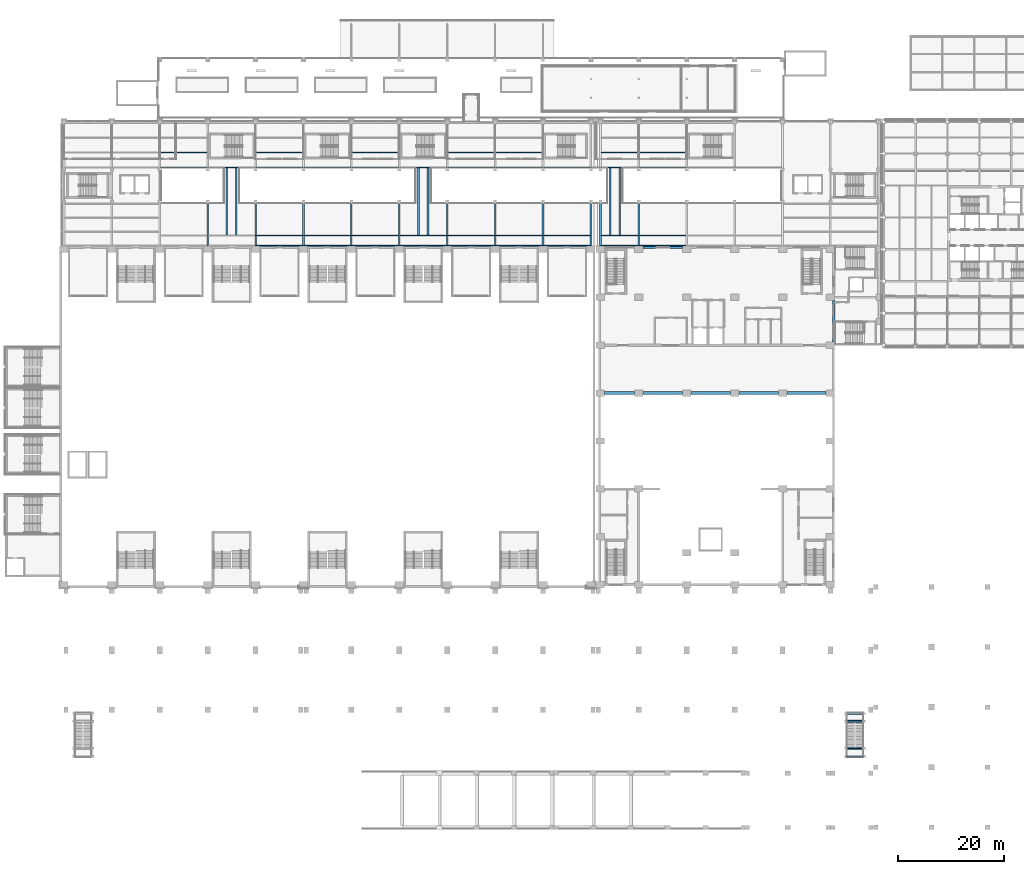
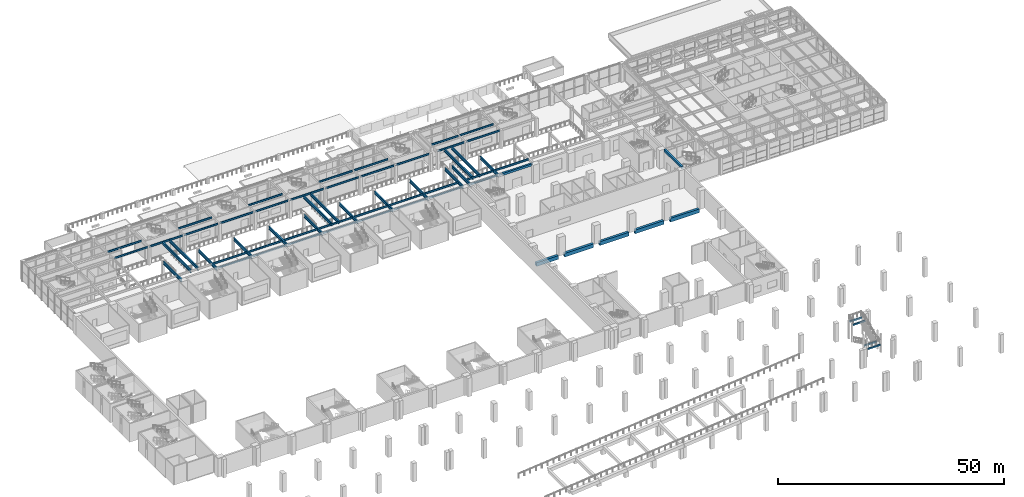
# One storey, part 9 of 67: 64 beams.
"""IFC4 building model written with IfcOpenShell, lengths in metres."""

from ifc_helpers import new_model, si_unit, direction, frame, origin, origin_2d, place, context, subcontext, project, spatial, rectangle, i_section, extrude, material, material_profile, profile_set, type_object, element, save


model = new_model("IFC4")

# Units and contexts
model_context = context("Model", 3, precision=1e-05, world=origin(), true_north=direction((0.0, 1.0)))
body_context = subcontext(model_context, "Body", "Model", "MODEL_VIEW")
ifc_project = project(units=[si_unit("LENGTHUNIT", "METRE"), si_unit("AREAUNIT", "SQUARE_METRE"), si_unit("VOLUMEUNIT", "CUBIC_METRE"), si_unit("PLANEANGLEUNIT", "RADIAN"), si_unit("MASSUNIT", "GRAM", prefix="KILO")], contexts=[model_context])

# Site, building, storey
site_placement = place(None, origin())
site = spatial("IfcSite", under=ifc_project, at=site_placement, CompositionType="ELEMENT")
building_placement = place(site_placement, origin())
building = spatial("IfcBuilding", under=site, at=building_placement, Name="Aravalli Gate Trade Fair Centre", CompositionType="ELEMENT")
storey_placement = place(building_placement, frame((0.0, 0.0, 5.0)))
storey = spatial("IfcBuildingStorey", under=building, at=storey_placement, Name="L01", CompositionType="ELEMENT", Elevation=5.0)

# Beams
ifc_material_1 = material(Name="Concrete M45", Category="concrete")
ifc_material_profile_1 = material_profile(ifc_material_1, rectangle(XDim=0.60009765625, YDim=1.0, at=origin_2d()), Name="RC 600x1000")
ifc_profile_set_1 = profile_set([ifc_material_profile_1], Name="Concrete M45")
beam_type_1 = type_object("IfcBeamType", Name="Congress RC beam 600 x 1000", PredefinedType="BEAM", material=ifc_profile_set_1)
beam_1_placement = place(storey_placement, frame((107.60009765625, 82.0, -0.5), z_axis=(1.0, 0.0, 0.0), x_axis=(0.0, 1.0, 0.0)))
element("IfcBeam", 1, at=beam_1_placement, inside=storey, type_object=beam_type_1, Name="Balcony front beam L01 107 to 114", PredefinedType="BEAM", context=body_context, shape_type="SweptSolid", body=[
    extrude(rectangle(XDim=0.60009765625, YDim=1.0, at=origin_2d()), origin(), (0.0, 0.0, 1.0), 5.599853515625),
])
for number, where, z_axis, x_axis, name in (
    (2, (114.800048828125, 82.0, -0.5), (1.0, 0.0, 0.0), (0.0, 1.0, 0.0), "Balcony front beam L01 114 to 123"),
    (3, (123.800048828125, 82.0, -0.5), (1.0, 0.0, 0.0), (0.0, 1.0, 0.0), "Balcony front beam L01 123 to 132"),
    (4, (132.800048828125, 82.0, -0.5), (1.0, 0.0, 0.0), (0.0, 1.0, 0.0), "Balcony front beam L01 132 to 141"),
    (5, (141.800048828125, 82.0, -0.5), (1.0, 0.0, 0.0), (0.0, 1.0, 0.0), "Balcony front beam L01 141 to 150"),
):
    element("IfcBeam", number, at=place(storey_placement, frame(where, z_axis=z_axis, x_axis=x_axis)), inside=storey, type_object=beam_type_1, Name=name, PredefinedType="BEAM", context=body_context, shape_type="SweptSolid", body=[
        extrude(rectangle(XDim=0.60009765625, YDim=1.0, at=origin_2d()), origin(), (0.0, 0.0, 1.0), 7.39990234375),
    ])
ifc_material_profile_2 = material_profile(ifc_material_1, rectangle(XDim=0.449951171875, YDim=0.60009765625, at=origin_2d()), Name="RC 450x600")
ifc_profile_set_2 = profile_set([ifc_material_profile_2], Name="Concrete M45")
beam_type_2 = type_object("IfcBeamType", Name="Congress RC lintel beam 450 x 600", PredefinedType="BEAM", material=ifc_profile_set_2)
beam_2_placement = place(storey_placement, frame((150.60009765625, 91.60009765625, 4.699951171875), z_axis=(0.0, 1.0, 0.0), x_axis=(-1.0, 0.0, 0.0)))
element("IfcBeam", 6, at=beam_2_placement, inside=storey, type_object=beam_type_2, Name="Lintel E L01 bay 6", PredefinedType="BEAM", context=body_context, shape_type="SweptSolid", body=[
    extrude(rectangle(XDim=0.449951171875, YDim=0.60009765625, at=origin_2d()), origin(), (0.0, 0.0, 1.0), 7.7998046875),
])
beam_3_placement = place(storey_placement, frame((114.800048828125, 109.375, 4.699951171875), z_axis=(1.0, 0.0, 0.0), x_axis=(0.0, 1.0, 0.0)))
element("IfcBeam", 7, at=beam_3_placement, inside=storey, type_object=beam_type_2, Name="Lintel N L01 bay 2", PredefinedType="BEAM", context=body_context, shape_type="SweptSolid", body=[
    extrude(rectangle(XDim=0.449951171875, YDim=0.60009765625, at=origin_2d()), origin(), (0.0, 0.0, 1.0), 7.39990234375),
])
ifc_material_2 = material(Name="Steel E350", Category="steel")
ifc_material_profile_3 = material_profile(ifc_material_2, i_section(OverallWidth=0.179931640625, OverallDepth=0.5, WebThickness=0.01025390625, FlangeThickness=0.01708984375, at=origin_2d()), Name="ISMB 500")
ifc_profile_set_3 = profile_set([ifc_material_profile_3], Name="Steel E350")
beam_type_3 = type_object("IfcBeamType", Name="ISMB 500 gallery secondary beam", PredefinedType="JOIST", material=ifc_profile_set_3)
for number, where, z_axis, x_axis, name in (
    (8, (24.14990234375, 124.389892578125, 4.550048828125), (1.0, 0.0, 0.0), (0.0, 1.0, 0.0), "Gallery beam N2 03-04 L02"),
    (9, (24.14990234375, 127.203369140625, 4.550048828125), (1.0, 0.0, 0.0), (0.0, 1.0, 0.0), "Gallery beam N3 03-04 L02"),
    (10, (33.14990234375, 124.389892578125, 4.550048828125), (1.0, 0.0, 0.0), (0.0, 1.0, 0.0), "Gallery beam N2 04-05 L02"),
    (11, (42.14990234375, 109.68994140625, 4.550048828125), (1.0, 0.0, 0.0), (0.0, 1.0, 0.0), "Gallery beam S0 05-06 L02"),
    (12, (42.14990234375, 111.610107421875, 4.550048828125), (1.0, 0.0, 0.0), (0.0, 1.0, 0.0), "Gallery beam S1 05-06 L02"),
    (13, (42.14990234375, 124.389892578125, 4.550048828125), (1.0, 0.0, 0.0), (0.0, 1.0, 0.0), "Gallery beam N2 05-06 L02"),
    (14, (42.14990234375, 127.203369140625, 4.550048828125), (1.0, 0.0, 0.0), (0.0, 1.0, 0.0), "Gallery beam N3 05-06 L02"),
    (15, (51.14990234375, 109.68994140625, 4.550048828125), (1.0, 0.0, 0.0), (0.0, 1.0, 0.0), "Gallery beam S0 06-07 L02"),
    (16, (51.14990234375, 111.610107421875, 4.550048828125), (1.0, 0.0, 0.0), (0.0, 1.0, 0.0), "Gallery beam S1 06-07 L02"),
    (17, (51.14990234375, 124.389892578125, 4.550048828125), (1.0, 0.0, 0.0), (0.0, 1.0, 0.0), "Gallery beam N2 06-07 L02"),
    (18, (60.14990234375, 109.68994140625, 4.550048828125), (1.0, 0.0, 0.0), (0.0, 1.0, 0.0), "Gallery beam S0 07-08 L02"),
    (19, (60.14990234375, 111.610107421875, 4.550048828125), (1.0, 0.0, 0.0), (0.0, 1.0, 0.0), "Gallery beam S1 07-08 L02"),
    (20, (60.14990234375, 124.389892578125, 4.550048828125), (1.0, 0.0, 0.0), (0.0, 1.0, 0.0), "Gallery beam N2 07-08 L02"),
    (21, (60.14990234375, 127.203369140625, 4.550048828125), (1.0, 0.0, 0.0), (0.0, 1.0, 0.0), "Gallery beam N3 07-08 L02"),
    (22, (69.14990234375, 109.68994140625, 4.550048828125), (1.0, 0.0, 0.0), (0.0, 1.0, 0.0), "Gallery beam S0 08-09 L02"),
    (23, (69.14990234375, 111.610107421875, 4.550048828125), (1.0, 0.0, 0.0), (0.0, 1.0, 0.0), "Gallery beam S1 08-09 L02"),
    (24, (69.14990234375, 124.389892578125, 4.550048828125), (1.0, 0.0, 0.0), (0.0, 1.0, 0.0), "Gallery beam N2 08-09 L02"),
    (25, (78.14990234375, 109.68994140625, 4.550048828125), (1.0, 0.0, 0.0), (0.0, 1.0, 0.0), "Gallery beam S0 09-10 L02"),
    (26, (78.14990234375, 111.610107421875, 4.550048828125), (1.0, 0.0, 0.0), (0.0, 1.0, 0.0), "Gallery beam S1 09-10 L02"),
    (27, (78.14990234375, 124.389892578125, 4.550048828125), (1.0, 0.0, 0.0), (0.0, 1.0, 0.0), "Gallery beam N2 09-10 L02"),
    (28, (78.14990234375, 127.203369140625, 4.550048828125), (1.0, 0.0, 0.0), (0.0, 1.0, 0.0), "Gallery beam N3 09-10 L02"),
    (29, (87.14990234375, 109.68994140625, 4.550048828125), (1.0, 0.0, 0.0), (0.0, 1.0, 0.0), "Gallery beam S0 10-11 L02"),
    (30, (87.14990234375, 111.610107421875, 4.550048828125), (1.0, 0.0, 0.0), (0.0, 1.0, 0.0), "Gallery beam S1 10-11 L02"),
    (31, (87.14990234375, 124.389892578125, 4.550048828125), (1.0, 0.0, 0.0), (0.0, 1.0, 0.0), "Gallery beam N2 10-11 L02"),
    (32, (87.14990234375, 127.203369140625, 4.550048828125), (1.0, 0.0, 0.0), (0.0, 1.0, 0.0), "Gallery beam N3 10-11 L02"),
    (33, (96.14990234375, 109.68994140625, 4.550048828125), (1.0, 0.0, 0.0), (0.0, 1.0, 0.0), "Gallery beam S0 11-12 L02"),
    (34, (96.14990234375, 111.610107421875, 4.550048828125), (1.0, 0.0, 0.0), (0.0, 1.0, 0.0), "Gallery beam S1 11-12 L02"),
    (35, (96.14990234375, 124.389892578125, 4.550048828125), (1.0, 0.0, 0.0), (0.0, 1.0, 0.0), "Gallery beam N2 11-12 L02"),
):
    element("IfcBeam", number, at=place(storey_placement, frame(where, z_axis=z_axis, x_axis=x_axis)), inside=storey, type_object=beam_type_3, Name=name, PredefinedType="JOIST", context=body_context, shape_type="SweptSolid", body=[
        extrude(i_section(OverallWidth=0.179931640625, OverallDepth=0.5, WebThickness=0.01025390625, FlangeThickness=0.01708984375, at=origin_2d()), origin(), (0.0, 0.0, 1.0), 8.7001953125),
    ])
for number, where, z_axis, x_axis, name in (
    (36, (106.949951171875, 109.68994140625, 4.550048828125), (1.0, 0.0, 0.0), (0.0, 1.0, 0.0), "Gallery beam S0 12A-13 L02"),
    (37, (106.949951171875, 111.610107421875, 4.550048828125), (1.0, 0.0, 0.0), (0.0, 1.0, 0.0), "Gallery beam S1 12A-13 L02"),
    (38, (106.949951171875, 124.389892578125, 4.550048828125), (1.0, 0.0, 0.0), (0.0, 1.0, 0.0), "Gallery beam N2 12A-13 L02"),
    (39, (106.949951171875, 127.203369140625, 4.550048828125), (1.0, 0.0, 0.0), (0.0, 1.0, 0.0), "Gallery beam N3 12A-13 L02"),
):
    element("IfcBeam", number, at=place(storey_placement, frame(where, z_axis=z_axis, x_axis=x_axis)), inside=storey, type_object=beam_type_3, Name=name, PredefinedType="JOIST", context=body_context, shape_type="SweptSolid", body=[
        extrude(i_section(OverallWidth=0.179931640625, OverallDepth=0.5, WebThickness=0.01025390625, FlangeThickness=0.01708984375, at=origin_2d()), origin(), (0.0, 0.0, 1.0), 6.900146484375),
    ])
for number, where, z_axis, x_axis, name in (
    (40, (114.14990234375, 109.68994140625, 4.550048828125), (1.0, 0.0, 0.0), (0.0, 1.0, 0.0), "Gallery beam S0 13-14 L02"),
    (41, (114.14990234375, 111.610107421875, 4.550048828125), (1.0, 0.0, 0.0), (0.0, 1.0, 0.0), "Gallery beam S1 13-14 L02"),
    (42, (114.14990234375, 124.389892578125, 4.550048828125), (1.0, 0.0, 0.0), (0.0, 1.0, 0.0), "Gallery beam N2 13-14 L02"),
    (43, (114.14990234375, 127.203369140625, 4.550048828125), (1.0, 0.0, 0.0), (0.0, 1.0, 0.0), "Gallery beam N3 13-14 L02"),
):
    element("IfcBeam", number, at=place(storey_placement, frame(where, z_axis=z_axis, x_axis=x_axis)), inside=storey, type_object=beam_type_3, Name=name, PredefinedType="JOIST", context=body_context, shape_type="SweptSolid", body=[
        extrude(i_section(OverallWidth=0.179931640625, OverallDepth=0.5, WebThickness=0.01025390625, FlangeThickness=0.01708984375, at=origin_2d()), origin(), (0.0, 0.0, 1.0), 8.7001953125),
    ])
ifc_material_profile_4 = material_profile(ifc_material_2, i_section(OverallWidth=0.300048828125, OverallDepth=0.800048828125, WebThickness=0.011962890625, FlangeThickness=0.02490234375, at=origin_2d()), Name="PG 800x300x12x25")
ifc_profile_set_4 = profile_set([ifc_material_profile_4], Name="Steel E350")
beam_type_4 = type_object("IfcBeamType", Name="PG 800x300x12x25 gallery plate girder", PredefinedType="BEAM", material=ifc_profile_set_4)
for number, where, z_axis, x_axis, name in (
    (44, (33.0, 109.60009765625, 4.39990234375), (0.0, 1.0, 0.0), (-1.0, 0.0, 0.0), "Gallery girder S04 L02"),
    (45, (42.0, 109.60009765625, 4.39990234375), (0.0, 1.0, 0.0), (-1.0, 0.0, 0.0), "Gallery girder S05 L02"),
    (46, (51.0, 109.60009765625, 4.39990234375), (0.0, 1.0, 0.0), (-1.0, 0.0, 0.0), "Gallery girder S06 L02"),
    (47, (60.0, 109.60009765625, 4.39990234375), (0.0, 1.0, 0.0), (-1.0, 0.0, 0.0), "Gallery girder S07 L02"),
    (48, (69.0, 109.60009765625, 4.39990234375), (0.0, 1.0, 0.0), (-1.0, 0.0, 0.0), "Gallery girder S08 L02"),
    (49, (78.0, 109.60009765625, 4.39990234375), (0.0, 1.0, 0.0), (-1.0, 0.0, 0.0), "Gallery girder S09 L02"),
    (50, (87.0, 109.60009765625, 4.39990234375), (0.0, 1.0, 0.0), (-1.0, 0.0, 0.0), "Gallery girder S10 L02"),
    (51, (96.0, 109.60009765625, 4.39990234375), (0.0, 1.0, 0.0), (-1.0, 0.0, 0.0), "Gallery girder S11 L02"),
    (52, (105.0, 109.60009765625, 4.39990234375), (0.0, 1.0, 0.0), (-1.0, 0.0, 0.0), "Gallery girder S12 L02"),
    (53, (106.800048828125, 109.60009765625, 4.39990234375), (0.0, 1.0, 0.0), (-1.0, 0.0, 0.0), "Gallery girder S12A L02"),
    (54, (114.0, 109.60009765625, 4.39990234375), (0.0, 1.0, 0.0), (-1.0, 0.0, 0.0), "Gallery girder S13 L02"),
):
    element("IfcBeam", number, at=place(storey_placement, frame(where, z_axis=z_axis, x_axis=x_axis)), inside=storey, type_object=beam_type_4, Name=name, PredefinedType="BEAM", context=body_context, shape_type="SweptSolid", body=[
        extrude(i_section(OverallWidth=0.300048828125, OverallDepth=0.800048828125, WebThickness=0.011962890625, FlangeThickness=0.02490234375, at=origin_2d()), origin(), (0.0, 0.0, 1.0), 8.099853515625),
    ])
for number, where, z_axis, x_axis, name in (
    (55, (36.60009765625, 111.699951171875, 4.39990234375), (0.0, 1.0, 0.0), (-1.0, 0.0, 0.0), "Bridge beam 1.1 L02"),
    (56, (38.39990234375, 111.699951171875, 4.39990234375), (0.0, 1.0, 0.0), (-1.0, 0.0, 0.0), "Bridge beam 1.2 L02"),
    (57, (72.60009765625, 111.699951171875, 4.39990234375), (0.0, 1.0, 0.0), (-1.0, 0.0, 0.0), "Bridge beam 2.1 L02"),
    (58, (74.39990234375, 111.699951171875, 4.39990234375), (0.0, 1.0, 0.0), (-1.0, 0.0, 0.0), "Bridge beam 2.2 L02"),
    (59, (108.60009765625, 111.699951171875, 4.39990234375), (0.0, 1.0, 0.0), (-1.0, 0.0, 0.0), "Bridge beam 3.1 L02"),
    (60, (110.39990234375, 111.699951171875, 4.39990234375), (0.0, 1.0, 0.0), (-1.0, 0.0, 0.0), "Bridge beam 3.2 L02"),
):
    element("IfcBeam", number, at=place(storey_placement, frame(where, z_axis=z_axis, x_axis=x_axis)), inside=storey, type_object=beam_type_4, Name=name, PredefinedType="BEAM", context=body_context, shape_type="SweptSolid", body=[
        extrude(i_section(OverallWidth=0.300048828125, OverallDepth=0.800048828125, WebThickness=0.011962890625, FlangeThickness=0.02490234375, at=origin_2d()), origin(), (0.0, 0.0, 1.0), 12.60009765625),
    ])
ifc_material_profile_5 = material_profile(ifc_material_1, rectangle(XDim=0.300048828125, YDim=0.39990234375, at=origin_2d()), Name="Stair landing beam RC 300 x 400")
ifc_profile_set_5 = profile_set([ifc_material_profile_5], Name="Concrete M45")
beam_type_5 = type_object("IfcBeamType", Name="Stair landing beam RC 300 x 400", PredefinedType="BEAM", material=ifc_profile_set_5)
for number, where, z_axis, x_axis, name in (
    (61, (153.0, 15.25, 2.050048828125), (1.0, 0.0, 0.0), (0.0, 1.0, 0.0), "Beam SB5-017"),
    (62, (153.0, 13.75, 2.050048828125), (1.0, 0.0, 0.0), (0.0, 1.0, 0.0), "Beam SB5-018"),
    (63, (153.0, 21.800048828125, 4.550048828125), (1.0, 0.0, 0.0), (0.0, 1.0, 0.0), "Beam SB5-019"),
    (64, (153.0, 20.35009765625, 4.550048828125), (1.0, 0.0, 0.0), (0.0, 1.0, 0.0), "Beam SB5-020"),
):
    element("IfcBeam", number, at=place(storey_placement, frame(where, z_axis=z_axis, x_axis=x_axis)), inside=storey, type_object=beam_type_5, Name=name, PredefinedType="BEAM", context=body_context, shape_type="SweptSolid", body=[
        extrude(rectangle(XDim=0.300048828125, YDim=0.39990234375, at=origin_2d()), origin(), (0.0, 0.0, 1.0), 3.199951171875),
    ])

save(model, "model.ifc")
